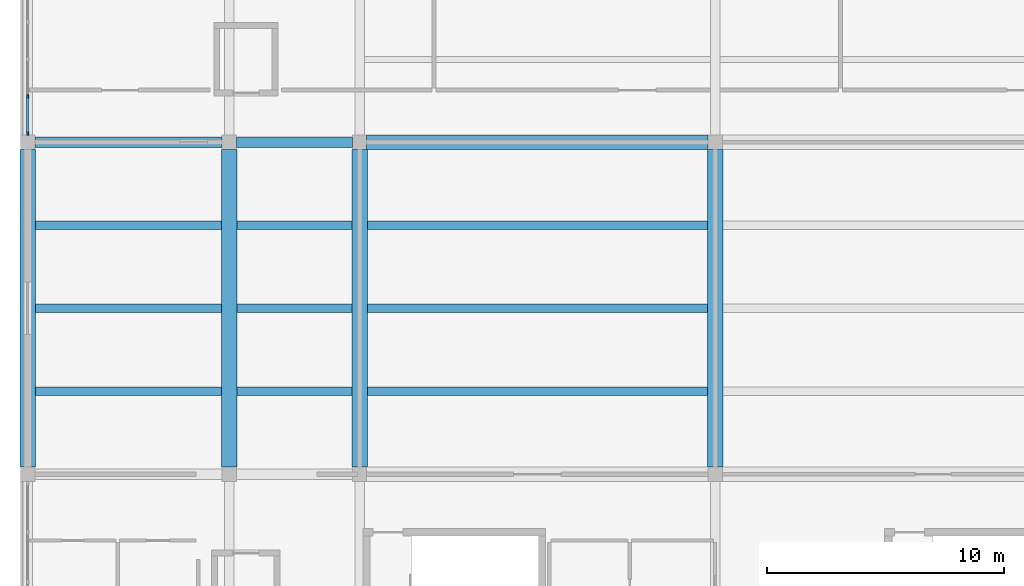
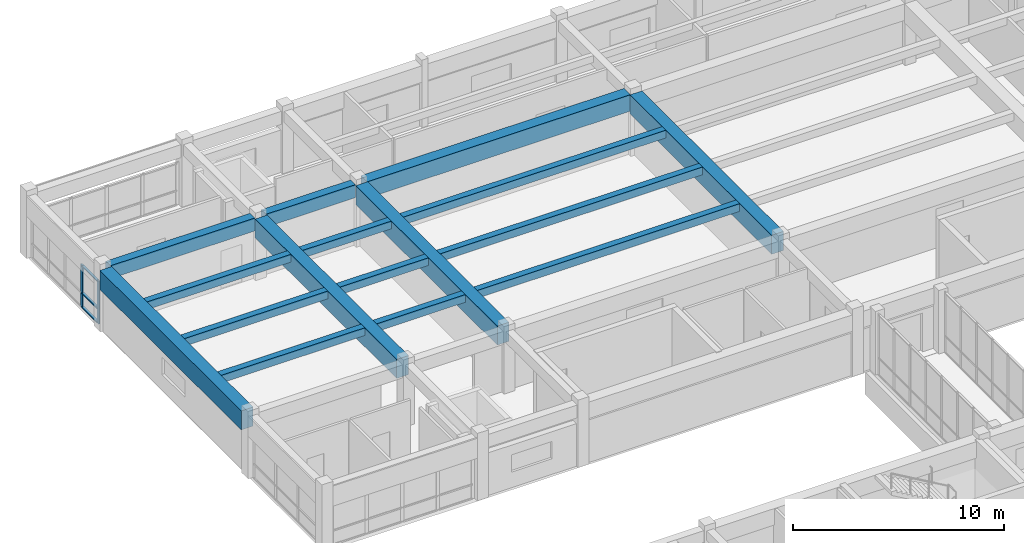
# One storey, part 12 of 66: 16 beams, 5 members, 1 element without a shape of its own.
"""IFC4 building model written with IfcOpenShell, lengths in metres."""

from ifc_helpers import new_model, si_unit, direction, frame, origin, origin_2d, place, context, subcontext, project, spatial, rectangle, extrude, material, layer, layer_set, material_profile, profile_set, type_object, element, aggregate, save


model = new_model("IFC4")

# Units and contexts
model_context = context("Model", 3, precision=1e-05, world=origin(), true_north=direction((0.0, 1.0)))
body_context = subcontext(model_context, "Body", "Model", "MODEL_VIEW")
ifc_project = project(units=[si_unit("LENGTHUNIT", "METRE"), si_unit("AREAUNIT", "SQUARE_METRE"), si_unit("VOLUMEUNIT", "CUBIC_METRE"), si_unit("PLANEANGLEUNIT", "RADIAN"), si_unit("MASSUNIT", "GRAM", prefix="KILO")], contexts=[model_context])

# Site, building, storey
site_placement = place(None, origin())
site = spatial("IfcSite", under=ifc_project, at=site_placement, CompositionType="ELEMENT")
building_placement = place(site_placement, origin())
building = spatial("IfcBuilding", under=site, at=building_placement, Name="Naurynzar Civic Courthouse", CompositionType="ELEMENT")
storey_placement = place(building_placement, frame((0.0, 0.0, 14.39990234375)))
storey = spatial("IfcBuildingStorey", under=building, at=storey_placement, Name="L04", CompositionType="ELEMENT", Elevation=14.39990234375)

# Beams
ifc_material_1 = material(Name="Concrete C40/50", Category="concrete")
ifc_material_profile_1 = material_profile(ifc_material_1, rectangle(XDim=0.449951171875, YDim=0.75, at=origin_2d()), Name="RCF 450x750")
ifc_profile_set_1 = profile_set([ifc_material_profile_1], Name="Concrete C40/50")
beam_type_1 = type_object("IfcBeamType", Name="BM-FLD-450x750", PredefinedType="BEAM", material=ifc_profile_set_1)
beam_1_placement = place(storey_placement, frame((6.300048828125, 65.0, 3.205078125), z_axis=(1.0, 0.0, 0.0), x_axis=(0.0, 1.0, 0.0)))
element("IfcBeam", 1, at=beam_1_placement, inside=storey, type_object=beam_type_1, Name="V1 beam X-232 L04", PredefinedType="BEAM", context=body_context, shape_type="SweptSolid", body=[
    extrude(rectangle(XDim=0.449951171875, YDim=0.75, at=origin_2d()), origin(), (0.0, 0.0, 1.0), 7.89990234375),
])
beam_2_placement = place(storey_placement, frame((14.800048828125, 65.0, 3.205078125), z_axis=(1.0, 0.0, 0.0), x_axis=(0.0, 1.0, 0.0)))
element("IfcBeam", 2, at=beam_2_placement, inside=storey, type_object=beam_type_1, Name="V1 beam X-233 L04", PredefinedType="BEAM", context=body_context, shape_type="SweptSolid", body=[
    extrude(rectangle(XDim=0.449951171875, YDim=0.75, at=origin_2d()), origin(), (0.0, 0.0, 1.0), 4.89990234375),
])
ifc_material_2 = material(Name="Concrete C40/50", Category="concrete")
ifc_material_profile_2 = material_profile(ifc_material_2, rectangle(XDim=0.60009765625, YDim=0.949951171875, at=origin_2d()), Name="PTB 600x950")
ifc_profile_set_2 = profile_set([ifc_material_profile_2], Name="Concrete C40/50")
beam_type_2 = type_object("IfcBeamType", Name="BM-PT-600x950", PredefinedType="T_BEAM", material=ifc_profile_set_2)
beam_3_placement = place(storey_placement, frame((20.300048828125, 65.0, 3.10498046875), z_axis=(1.0, 0.0, 0.0), x_axis=(0.0, 1.0, 0.0)))
element("IfcBeam", 3, at=beam_3_placement, inside=storey, type_object=beam_type_2, Name="V1 beam X-234 L04", PredefinedType="T_BEAM", context=body_context, shape_type="SweptSolid", body=[
    extrude(rectangle(XDim=0.60009765625, YDim=0.949951171875, at=origin_2d()), origin(), (0.0, 0.0, 1.0), 14.39990234375),
])
ifc_material_3 = material(Name="Concrete C40/50", Category="concrete")
ifc_material_profile_3 = material_profile(ifc_material_3, rectangle(XDim=0.64990234375, YDim=1.10009765625, at=origin_2d()), Name="PTB 650x1100")
ifc_profile_set_3 = profile_set([ifc_material_profile_3], Name="Concrete C40/50")
beam_type_3 = type_object("IfcBeamType", Name="BM-PT-650x1100", PredefinedType="T_BEAM", material=ifc_profile_set_3)
for number, where, z_axis, x_axis, name in (
    (4, (6.0, 51.300048828125, 3.030029296875), (0.0, 1.0, 0.0), (-1.0, 0.0, 0.0), "V1 girder Y-243 L04"),
    (5, (14.5, 51.300048828125, 3.030029296875), (0.0, 1.0, 0.0), (-1.0, 0.0, 0.0), "V1 girder Y-246 L04"),
    (6, (20.0, 51.300048828125, 3.030029296875), (0.0, 1.0, 0.0), (-1.0, 0.0, 0.0), "V1 girder Y-249 L04"),
    (7, (35.0, 51.300048828125, 3.030029296875), (0.0, 1.0, 0.0), (-1.0, 0.0, 0.0), "V1 girder Y-252 L04"),
):
    element("IfcBeam", number, at=place(storey_placement, frame(where, z_axis=z_axis, x_axis=x_axis)), inside=storey, type_object=beam_type_3, Name=name, PredefinedType="T_BEAM", context=body_context, shape_type="SweptSolid", body=[
        extrude(rectangle(XDim=0.64990234375, YDim=1.10009765625, at=origin_2d()), origin(), (0.0, 0.0, 1.0), 13.39990234375),
    ])
ifc_material_4 = material(Name="Concrete C40/50", Category="concrete")
ifc_material_profile_4 = material_profile(ifc_material_4, rectangle(XDim=0.35009765625, YDim=0.449951171875, at=origin_2d()), Name="RCB 350x450")
ifc_profile_set_4 = profile_set([ifc_material_profile_4], Name="Concrete C40/50")
beam_type_4 = type_object("IfcBeamType", Name="BM-RC-350x450", PredefinedType="BEAM", material=ifc_profile_set_4)
for number, where, z_axis, x_axis, name in (
    (8, (6.324951171875, 54.5, 3.35498046875), (1.0, 0.0, 0.0), (0.0, 1.0, 0.0), "V1 secondary rib 261 L04"),
    (9, (6.324951171875, 58.0, 3.35498046875), (1.0, 0.0, 0.0), (0.0, 1.0, 0.0), "V1 secondary rib 262 L04"),
    (10, (6.324951171875, 61.5, 3.35498046875), (1.0, 0.0, 0.0), (0.0, 1.0, 0.0), "V1 secondary rib 263 L04"),
):
    element("IfcBeam", number, at=place(storey_placement, frame(where, z_axis=z_axis, x_axis=x_axis)), inside=storey, type_object=beam_type_4, Name=name, PredefinedType="BEAM", context=body_context, shape_type="SweptSolid", body=[
        extrude(rectangle(XDim=0.35009765625, YDim=0.449951171875, at=origin_2d()), origin(), (0.0, 0.0, 1.0), 7.85009765625),
    ])
for number, where, z_axis, x_axis, name in (
    (11, (14.824951171875, 54.5, 3.35498046875), (1.0, 0.0, 0.0), (0.0, 1.0, 0.0), "V1 secondary rib 264 L04"),
    (12, (14.824951171875, 58.0, 3.35498046875), (1.0, 0.0, 0.0), (0.0, 1.0, 0.0), "V1 secondary rib 265 L04"),
    (13, (14.824951171875, 61.5, 3.35498046875), (1.0, 0.0, 0.0), (0.0, 1.0, 0.0), "V1 secondary rib 266 L04"),
):
    element("IfcBeam", number, at=place(storey_placement, frame(where, z_axis=z_axis, x_axis=x_axis)), inside=storey, type_object=beam_type_4, Name=name, PredefinedType="BEAM", context=body_context, shape_type="SweptSolid", body=[
        extrude(rectangle(XDim=0.35009765625, YDim=0.449951171875, at=origin_2d()), origin(), (0.0, 0.0, 1.0), 4.85009765625),
    ])
for number, where, z_axis, x_axis, name in (
    (14, (20.324951171875, 54.5, 3.35498046875), (1.0, 0.0, 0.0), (0.0, 1.0, 0.0), "V1 secondary rib 267 L04"),
    (15, (20.324951171875, 58.0, 3.35498046875), (1.0, 0.0, 0.0), (0.0, 1.0, 0.0), "V1 secondary rib 268 L04"),
    (16, (20.324951171875, 61.5, 3.35498046875), (1.0, 0.0, 0.0), (0.0, 1.0, 0.0), "V1 secondary rib 269 L04"),
):
    element("IfcBeam", number, at=place(storey_placement, frame(where, z_axis=z_axis, x_axis=x_axis)), inside=storey, type_object=beam_type_4, Name=name, PredefinedType="BEAM", context=body_context, shape_type="SweptSolid", body=[
        extrude(rectangle(XDim=0.35009765625, YDim=0.449951171875, at=origin_2d()), origin(), (0.0, 0.0, 1.0), 14.35009765625),
    ])

# Curtain wall, members
ifc_material_5 = material(Name="Aluminium 6063-T6", Category="aluminium")
ifc_layer = layer(ifc_material_5, 0.159912109375)
ifc_layer_set = layer_set([ifc_layer], Name="CW-UNIT-1800")
curtain_wall_type = type_object("IfcCurtainWallType", Name="CW-UNIT-1800", PredefinedType="NOTDEFINED", material=ifc_layer_set)
curtain_wall_placement = place(storey_placement, origin())
curtain_wall = element("IfcCurtainWall", 17, at=curtain_wall_placement, inside=storey, type_object=curtain_wall_type, Name="V1 unitised curtain wall 14 L04", PredefinedType="NOTDEFINED")
ifc_material_6 = material(Name="Aluminium 6063-T6", Category="aluminium")
ifc_material_profile_5 = material_profile(ifc_material_6, rectangle(XDim=0.070068359375, YDim=0.179931640625, at=origin_2d()), Name="ALU MULLION 70x180")
ifc_profile_set_5 = profile_set([ifc_material_profile_5], Name="Aluminium 6063-T6")
member_type_1 = type_object("IfcMemberType", Name="CWM-70x180", PredefinedType="MULLION", material=ifc_profile_set_5)
member_1_placement = place(storey_placement, frame((6.0, 65.385009765625, 0.0), z_axis=(0.0, 0.0, 1.0), x_axis=(-1.0, 0.0, 0.0)))
member_1 = element("IfcMember", 18, at=member_1_placement, type_object=member_type_1, Name="CW-02 mullion 1", PredefinedType="MULLION", context=body_context, shape_type="SweptSolid", body=[
    extrude(rectangle(XDim=0.070068359375, YDim=0.179931640625, at=origin_2d()), origin(), (0.0, 0.0, 1.0), 2.460205078125),
])
member_2_placement = place(storey_placement, frame((6.0, 66.925048828125, 0.0), z_axis=(0.0, 0.0, 1.0), x_axis=(-1.0, 0.0, 0.0)))
member_2 = element("IfcMember", 19, at=member_2_placement, type_object=member_type_1, Name="CW-02 mullion 2", PredefinedType="MULLION", context=body_context, shape_type="SweptSolid", body=[
    extrude(rectangle(XDim=0.070068359375, YDim=0.179931640625, at=origin_2d()), origin(), (0.0, 0.0, 1.0), 2.460205078125),
])
ifc_material_7 = material(Name="Aluminium 6063-T6", Category="aluminium")
ifc_material_profile_6 = material_profile(ifc_material_7, rectangle(XDim=0.1298828125, YDim=0.070068359375, at=origin_2d()), Name="ALU TRANSOM 70x130")
ifc_profile_set_6 = profile_set([ifc_material_profile_6], Name="Aluminium 6063-T6")
member_type_2 = type_object("IfcMemberType", Name="CWT-70x130", PredefinedType="USERDEFINED", material=ifc_profile_set_6)
member_3_placement = place(storey_placement, frame((6.0, 65.419921875, 0.03515625), z_axis=(0.0, 1.0, 0.0), x_axis=(-1.0, 0.0, 0.0)))
member_3 = element("IfcMember", 20, at=member_3_placement, type_object=member_type_2, Name="CW-02 transom 1.1", ObjectType="TRANSOM", PredefinedType="USERDEFINED", context=body_context, shape_type="SweptSolid", body=[
    extrude(rectangle(XDim=0.1298828125, YDim=0.070068359375, at=origin_2d()), origin(), (0.0, 0.0, 1.0), 1.469970703125),
])
member_4_placement = place(storey_placement, frame((6.0, 65.419921875, 0.85009765625), z_axis=(0.0, 1.0, 0.0), x_axis=(-1.0, 0.0, 0.0)))
member_4 = element("IfcMember", 21, at=member_4_placement, type_object=member_type_2, Name="CW-02 transom 1.2", ObjectType="TRANSOM", PredefinedType="USERDEFINED", context=body_context, shape_type="SweptSolid", body=[
    extrude(rectangle(XDim=0.1298828125, YDim=0.070068359375, at=origin_2d()), origin(), (0.0, 0.0, 1.0), 1.469970703125),
])
member_5_placement = place(storey_placement, frame((6.0, 65.419921875, 2.425048828125), z_axis=(0.0, 1.0, 0.0), x_axis=(-1.0, 0.0, 0.0)))
member_5 = element("IfcMember", 22, at=member_5_placement, type_object=member_type_2, Name="CW-02 transom 1.3", ObjectType="TRANSOM", PredefinedType="USERDEFINED", context=body_context, shape_type="SweptSolid", body=[
    extrude(rectangle(XDim=0.1298828125, YDim=0.070068359375, at=origin_2d()), origin(), (0.0, 0.0, 1.0), 1.469970703125),
])
aggregate(curtain_wall, [member_1, member_2, member_3, member_4, member_5])

save(model, "model.ifc")
